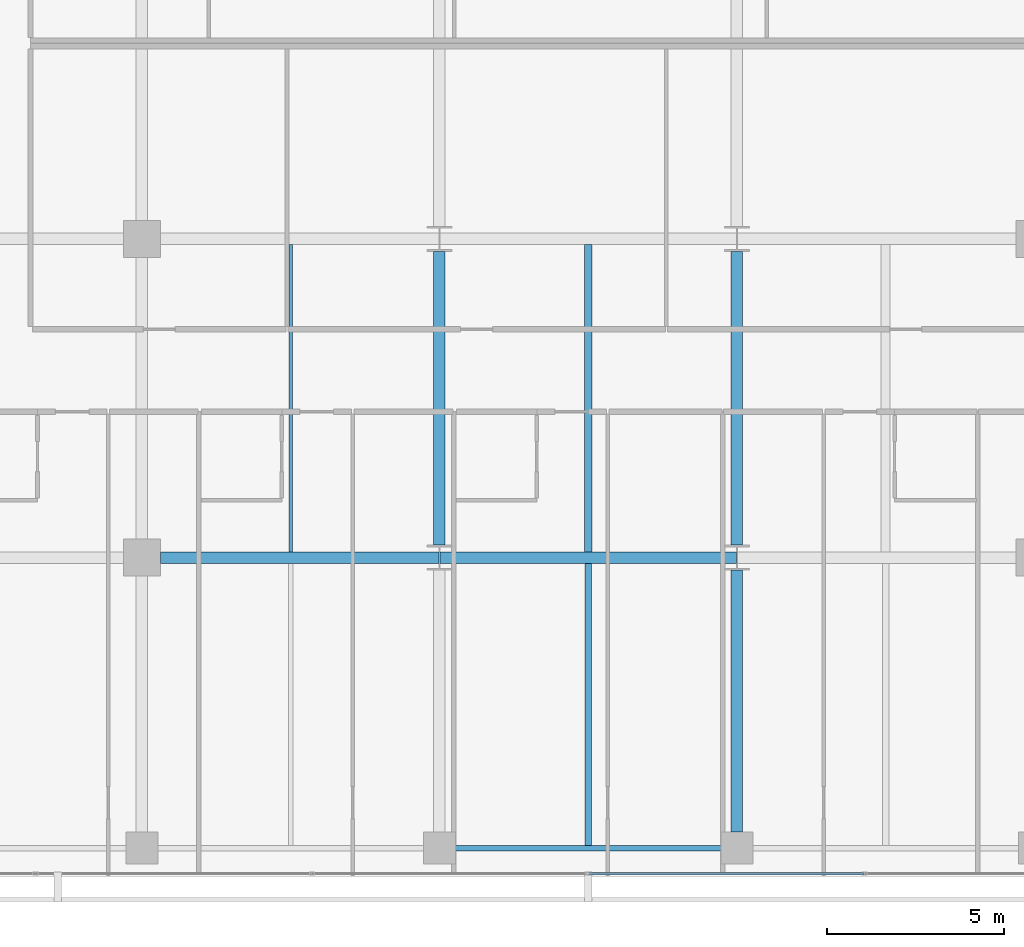
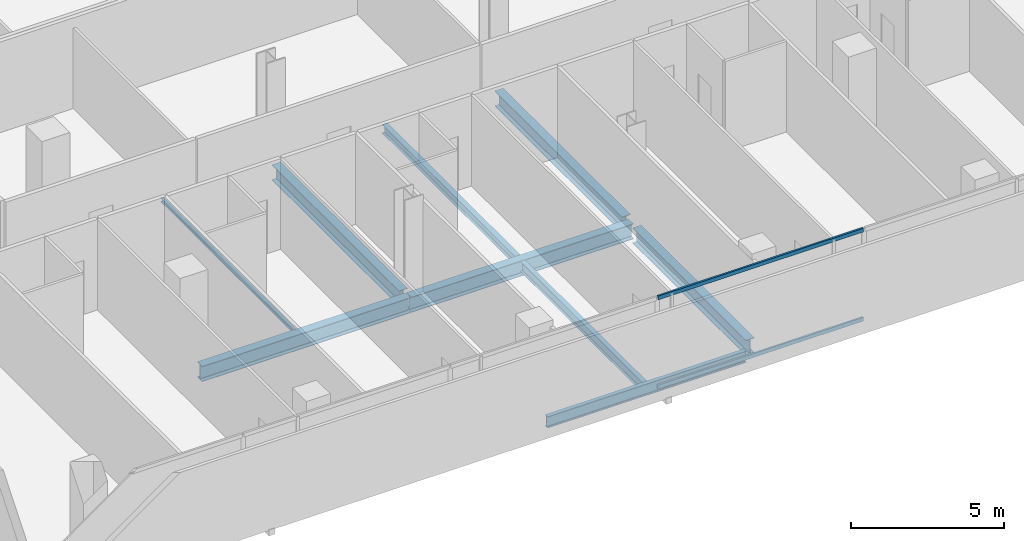
# One storey, part 9 of 40: 9 beams, 2 members, 1 element without a shape of its own.
"""IFC4 building model written with IfcOpenShell, lengths in metres."""

from ifc_helpers import new_model, si_unit, direction, frame, origin, origin_2d, place, context, subcontext, project, spatial, hollow_rectangle, i_section, extrude, material, layer, layer_set, material_profile, profile_set, type_object, element, aggregate, save


model = new_model("IFC4")

# Units and contexts
model_context = context("Model", 3, precision=1e-05, world=origin(), true_north=direction((0.0, 1.0)))
body_context = subcontext(model_context, "Body", "Model", "MODEL_VIEW")
ifc_project = project(units=[si_unit("LENGTHUNIT", "METRE"), si_unit("AREAUNIT", "SQUARE_METRE"), si_unit("VOLUMEUNIT", "CUBIC_METRE"), si_unit("PLANEANGLEUNIT", "RADIAN"), si_unit("MASSUNIT", "GRAM", prefix="KILO")], contexts=[model_context])

# Site, building, storey
site_placement = place(None, origin())
site = spatial("IfcSite", under=ifc_project, at=site_placement, CompositionType="ELEMENT")
building_placement = place(site_placement, origin())
building = spatial("IfcBuilding", under=site, at=building_placement, Name="Maruvema Waterfront Hotel and Observation Tower", CompositionType="ELEMENT")
storey_placement = place(building_placement, frame((0.0, 0.0, 77.0)))
storey = spatial("IfcBuildingStorey", under=building, at=storey_placement, Name="L18", CompositionType="ELEMENT", Elevation=77.0)

# Curtain wall, members
ifc_material_1 = material(Name="Anodised bronze aluminium and solar-control low-E IGU", Category="aluminium")
ifc_layer = layer(ifc_material_1, 0.159912109375, Name="Zone 1 Bronze Inner Thermal Curtain Wall System CW-02")
ifc_layer_set = layer_set([ifc_layer], Name="Anodised bronze aluminium and solar-control low-E IGU")
curtain_wall_type = type_object("IfcCurtainWallType", Name="Zone 1 Bronze Inner Thermal Curtain Wall System CW-02", PredefinedType="USERDEFINED", material=ifc_layer_set)
curtain_wall_placement = place(storey_placement, origin())
curtain_wall = element("IfcCurtainWall", 1, at=curtain_wall_placement, inside=storey, type_object=curtain_wall_type, Name="L18 Curtain Wall CW-L18-S", ObjectType="UNITISED CURTAIN WALL", PredefinedType="USERDEFINED")
ifc_material_2 = material(Name="Anodised architectural bronze aluminium", Category="aluminium")
ifc_material_profile_1 = material_profile(ifc_material_2, hollow_rectangle(XDim=0.070068359375, YDim=0.14990234375, WallThickness=0.00390625, at=origin_2d()), Name="ALU-T70x150")
ifc_profile_set_1 = profile_set([ifc_material_profile_1], Name="Anodised architectural bronze aluminium")
member_type = type_object("IfcMemberType", Name="Curtain Wall Horizontal Transom ALU-T70x150", PredefinedType="USERDEFINED", material=ifc_profile_set_1)
member_1_placement = place(storey_placement, frame((37.830078125, 0.080078125, 0.030029296875), z_axis=(1.0, 0.0, 0.0), x_axis=(0.0, 1.0, 0.0)))
member_1 = element("IfcMember", 2, at=member_1_placement, type_object=member_type, Name="CW-02 transom 4.1", ObjectType="TRANSOM", PredefinedType="USERDEFINED", context=body_context, shape_type="SweptSolid", body=[
    extrude(hollow_rectangle(XDim=0.070068359375, YDim=0.14990234375, WallThickness=0.00390625, at=origin_2d()), origin(), (0.0, 0.0, 1.0), 7.739990234375),
])
member_2_placement = place(storey_placement, frame((37.830078125, 0.080078125, 3.580078125), z_axis=(1.0, 0.0, 0.0), x_axis=(0.0, 1.0, 0.0)))
member_2 = element("IfcMember", 3, at=member_2_placement, type_object=member_type, Name="CW-02 transom 4.2", ObjectType="TRANSOM", PredefinedType="USERDEFINED", context=body_context, shape_type="SweptSolid", body=[
    extrude(hollow_rectangle(XDim=0.070068359375, YDim=0.14990234375, WallThickness=0.00390625, at=origin_2d()), origin(), (0.0, 0.0, 1.0), 7.739990234375),
])
aggregate(curtain_wall, [member_1, member_2])

# Beams
ifc_material_3 = material(Name="Steel ASTM A572 Grade 50", Category="steel")
ifc_material_profile_2 = material_profile(ifc_material_3, i_section(OverallWidth=0.153076171875, OverallDepth=0.455078125, WebThickness=0.008056640625, FlangeThickness=0.01318359375, FilletRadius=0.014892578125, at=origin_2d()), Name="W460x60.0")
ifc_profile_set_2 = profile_set([ifc_material_profile_2], Name="Steel ASTM A572 Grade 50")
beam_type_1 = type_object("IfcBeamType", Name="Perimeter Spandrel Beam W460x60.0", PredefinedType="SPANDREL", material=ifc_profile_set_2)
beam_1_placement = place(storey_placement, frame((34.050048828125, 0.800048828125, -0.467529296875), z_axis=(1.0, 0.0, 0.0), x_axis=(0.0, 1.0, 0.0)))
element("IfcBeam", 4, at=beam_1_placement, inside=storey, type_object=beam_type_1, Name="L18 Floor Girder EW-03", PredefinedType="SPANDREL", context=body_context, shape_type="SweptSolid", body=[
    extrude(i_section(OverallWidth=0.153076171875, OverallDepth=0.455078125, WebThickness=0.008056640625, FlangeThickness=0.01318359375, FilletRadius=0.014892578125, at=origin_2d()), origin(), (0.0, 0.0, 1.0), 7.5),
])
ifc_material_4 = material(Name="Steel ASTM A572 Grade 50", Category="steel")
ifc_material_profile_3 = material_profile(ifc_material_4, i_section(OverallWidth=0.323974609375, OverallDepth=0.611083984375, WebThickness=0.0126953125, FlangeThickness=0.01904296875, FilletRadius=0.01806640625, at=origin_2d()), Name="W610x155.0")
ifc_profile_set_3 = profile_set([ifc_material_profile_3], Name="Steel ASTM A572 Grade 50")
beam_type_2 = type_object("IfcBeamType", Name="Primary Floor Girder W610x155.0", PredefinedType="BEAM", material=ifc_profile_set_3)
beam_2_placement = place(storey_placement, frame((25.72509765625, 9.0, -0.54541015625), z_axis=(1.0, 0.0, 0.0), x_axis=(0.0, 1.0, 0.0)))
element("IfcBeam", 5, at=beam_2_placement, inside=storey, type_object=beam_type_2, Name="L18 Floor Girder EW-08", PredefinedType="BEAM", context=body_context, shape_type="SweptSolid", body=[
    extrude(i_section(OverallWidth=0.323974609375, OverallDepth=0.611083984375, WebThickness=0.0126953125, FlangeThickness=0.01904296875, FilletRadius=0.01806640625, at=origin_2d()), origin(), (0.0, 0.0, 1.0), 7.86083984375),
])
beam_3_placement = place(storey_placement, frame((33.614013671875, 9.0, -0.54541015625), z_axis=(1.0, 0.0, 0.0), x_axis=(0.0, 1.0, 0.0)))
element("IfcBeam", 6, at=beam_3_placement, inside=storey, type_object=beam_type_2, Name="L18 Floor Girder EW-09", PredefinedType="BEAM", context=body_context, shape_type="SweptSolid", body=[
    extrude(i_section(OverallWidth=0.323974609375, OverallDepth=0.611083984375, WebThickness=0.0126953125, FlangeThickness=0.01904296875, FilletRadius=0.01806640625, at=origin_2d()), origin(), (0.0, 0.0, 1.0), 8.3720703125),
])
beam_4_placement = place(storey_placement, frame((33.60009765625, 9.35009765625, -0.54541015625), z_axis=(0.0, 1.0, 0.0), x_axis=(-1.0, 0.0, 0.0)))
element("IfcBeam", 7, at=beam_4_placement, inside=storey, type_object=beam_type_2, Name="L18 Floor Girder NS-17", PredefinedType="BEAM", context=body_context, shape_type="SweptSolid", body=[
    extrude(i_section(OverallWidth=0.323974609375, OverallDepth=0.611083984375, WebThickness=0.0126953125, FlangeThickness=0.01904296875, FilletRadius=0.01806640625, at=origin_2d()), origin(), (0.0, 0.0, 1.0), 8.2998046875),
])
beam_5_placement = place(storey_placement, frame((42.0, 1.25, -0.54541015625), z_axis=(0.0, 1.0, 0.0), x_axis=(-1.0, 0.0, 0.0)))
element("IfcBeam", 8, at=beam_5_placement, inside=storey, type_object=beam_type_2, Name="L18 Floor Girder NS-19", PredefinedType="BEAM", context=body_context, shape_type="SweptSolid", body=[
    extrude(i_section(OverallWidth=0.323974609375, OverallDepth=0.611083984375, WebThickness=0.0126953125, FlangeThickness=0.01904296875, FilletRadius=0.01806640625, at=origin_2d()), origin(), (0.0, 0.0, 1.0), 7.39990234375),
])
beam_6_placement = place(storey_placement, frame((42.0, 9.35009765625, -0.54541015625), z_axis=(0.0, 1.0, 0.0), x_axis=(-1.0, 0.0, 0.0)))
element("IfcBeam", 9, at=beam_6_placement, inside=storey, type_object=beam_type_2, Name="L18 Floor Girder NS-20", PredefinedType="BEAM", context=body_context, shape_type="SweptSolid", body=[
    extrude(i_section(OverallWidth=0.323974609375, OverallDepth=0.611083984375, WebThickness=0.0126953125, FlangeThickness=0.01904296875, FilletRadius=0.01806640625, at=origin_2d()), origin(), (0.0, 0.0, 1.0), 8.2998046875),
])
ifc_material_5 = material(Name="Steel ASTM A572 Grade 50", Category="steel")
ifc_material_profile_4 = material_profile(ifc_material_5, i_section(OverallWidth=0.10009765625, OverallDepth=0.153076171875, WebThickness=0.005859375, FlangeThickness=0.007080078125, FilletRadius=0.008056640625, at=origin_2d()), Name="W150x18.0")
ifc_profile_set_4 = profile_set([ifc_material_profile_4], Name="Steel ASTM A572 Grade 50")
beam_type_3 = type_object("IfcBeamType", Name="Secondary Floor Joist W150x18.0", PredefinedType="JOIST", material=ifc_profile_set_4)
beam_7_placement = place(storey_placement, frame((29.39990234375, 9.162109375, -0.31640625), z_axis=(0.0, 1.0, 0.0), x_axis=(-1.0, 0.0, 0.0)))
element("IfcBeam", 10, at=beam_7_placement, inside=storey, type_object=beam_type_3, Name="L18 Secondary Floor Joist JS-11", PredefinedType="JOIST", context=body_context, shape_type="SweptSolid", body=[
    extrude(i_section(OverallWidth=0.10009765625, OverallDepth=0.153076171875, WebThickness=0.005859375, FlangeThickness=0.007080078125, FilletRadius=0.008056640625, at=origin_2d()), origin(), (0.0, 0.0, 1.0), 8.67578125),
])
ifc_material_6 = material(Name="Steel ASTM A572 Grade 50", Category="steel")
ifc_material_profile_5 = material_profile(ifc_material_6, i_section(OverallWidth=0.202880859375, OverallDepth=0.346923828125, WebThickness=0.0078125, FlangeThickness=0.013427734375, FilletRadius=0.014892578125, at=origin_2d()), Name="W360x64.0")
ifc_profile_set_5 = profile_set([ifc_material_profile_5], Name="Steel ASTM A572 Grade 50")
beam_type_4 = type_object("IfcBeamType", Name="Secondary Floor Joist W360x64.0", PredefinedType="JOIST", material=ifc_profile_set_5)
beam_8_placement = place(storey_placement, frame((37.800048828125, 9.162109375, -0.41357421875), z_axis=(0.0, 1.0, 0.0), x_axis=(-1.0, 0.0, 0.0)))
element("IfcBeam", 11, at=beam_8_placement, inside=storey, type_object=beam_type_4, Name="L18 Secondary Floor Joist JS-13", PredefinedType="JOIST", context=body_context, shape_type="SweptSolid", body=[
    extrude(i_section(OverallWidth=0.202880859375, OverallDepth=0.346923828125, WebThickness=0.0078125, FlangeThickness=0.013427734375, FilletRadius=0.014892578125, at=origin_2d()), origin(), (0.0, 0.0, 1.0), 8.67578125),
])
ifc_material_7 = material(Name="Steel ASTM A572 Grade 50", Category="steel")
ifc_material_profile_6 = material_profile(ifc_material_7, i_section(OverallWidth=0.177001953125, OverallDepth=0.403076171875, WebThickness=0.007568359375, FlangeThickness=0.010986328125, FilletRadius=0.014892578125, at=origin_2d()), Name="W410x53.0")
ifc_profile_set_6 = profile_set([ifc_material_profile_6], Name="Steel ASTM A572 Grade 50")
beam_type_5 = type_object("IfcBeamType", Name="Secondary Floor Joist W410x53.0", PredefinedType="JOIST", material=ifc_profile_set_6)
beam_9_placement = place(storey_placement, frame((37.800048828125, 0.87646484375, -0.44140625), z_axis=(0.0, 1.0, 0.0), x_axis=(-1.0, 0.0, 0.0)))
element("IfcBeam", 12, at=beam_9_placement, inside=storey, type_object=beam_type_5, Name="L18 Secondary Floor Joist JS-12", PredefinedType="JOIST", context=body_context, shape_type="SweptSolid", body=[
    extrude(i_section(OverallWidth=0.177001953125, OverallDepth=0.403076171875, WebThickness=0.007568359375, FlangeThickness=0.010986328125, FilletRadius=0.014892578125, at=origin_2d()), origin(), (0.0, 0.0, 1.0), 7.96142578125),
])

save(model, "model.ifc")
